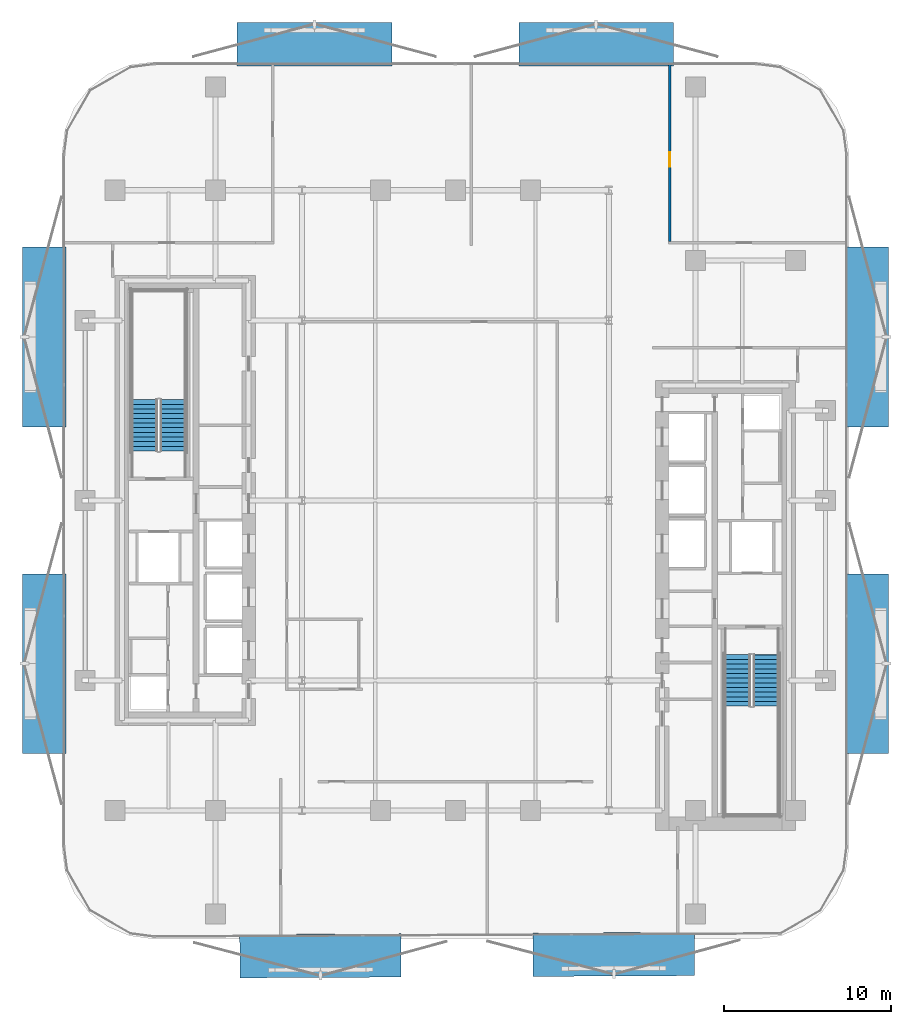
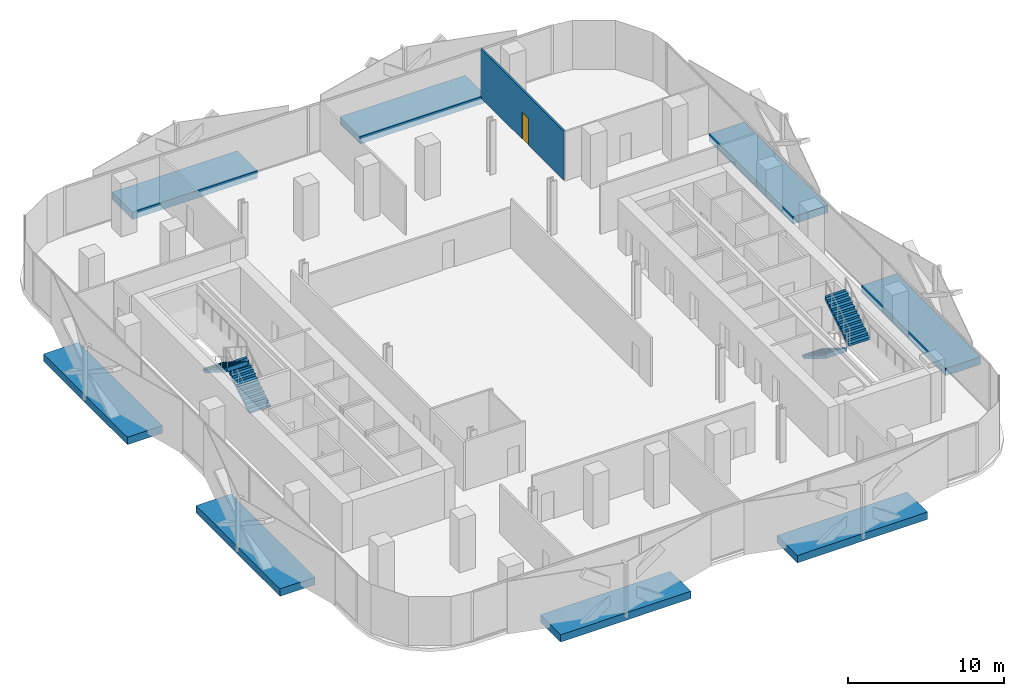
# One storey, part 6 of 15: 8 discrete accessories, 4 stair flights, 1 door, 1 wall, 1 opening, 2 elements without a shape of their own.
"""IFC4 building model written with IfcOpenShell, lengths in metres."""

from ifc_helpers import new_model, si_unit, direction, frame, frame_2d, origin, origin_2d, place, context, subcontext, project, spatial, polyline, rectangle, outline, extrude, material, layer, layer_set, type_object, element, fill, aggregate, save


model = new_model("IFC4")

# Units and contexts
model_context = context("Model", 3, precision=1e-05, world=origin(), true_north=direction((0.0, 1.0)))
body_context = subcontext(model_context, "Body", "Model", "MODEL_VIEW")
ifc_project = project(units=[si_unit("LENGTHUNIT", "METRE"), si_unit("AREAUNIT", "SQUARE_METRE"), si_unit("VOLUMEUNIT", "CUBIC_METRE"), si_unit("PLANEANGLEUNIT", "RADIAN"), si_unit("MASSUNIT", "GRAM", prefix="KILO")], contexts=[model_context])

# Site, building, storey
site_placement = place(None, origin())
site = spatial("IfcSite", under=ifc_project, at=site_placement, CompositionType="ELEMENT")
building_placement = place(site_placement, origin())
building = spatial("IfcBuilding", under=site, at=building_placement, Name="Khairoan Windgate Tower", CompositionType="ELEMENT")
storey_placement = place(building_placement, frame((0.0, 0.0, 147.800048828125)))
storey = spatial("IfcBuildingStorey", under=building, at=storey_placement, Name="L34", CompositionType="ELEMENT", Elevation=147.800048828125)

# Wall, opening, door
ifc_material_1 = material(Name="Acoustic Fire-Rated Gypsum Partition", Category="gypsum")
ifc_layer_1 = layer(ifc_material_1, 0.139892578125, Name="Acoustic Fire-Rated Gypsum Partition")
ifc_layer_set_1 = layer_set([ifc_layer_1], Name="Acoustic Fire-Rated Gypsum Partition")
wall_type = type_object("IfcWallType", Name="Inter-Tenancy Compartment Wall", PredefinedType="PARTITIONING", material=ifc_layer_set_1)
wall_placement = place(storey_placement, frame((12.85205078125, 15.530029296875, 0.0), z_axis=(0.0, 0.0, 1.0), x_axis=(0.0, 1.0, 0.0)))
wall = element("IfcWall", 1, at=wall_placement, inside=storey, type_object=wall_type, Name="L34 Interior Partition 031", PredefinedType="PARTITIONING", context=body_context, shape_type="SweptSolid", body=[
    extrude(rectangle(XDim=10.625, YDim=0.139892578125, at=frame_2d((5.3125, 0.0))), origin(), (0.0, 0.0, 1.0), 3.849853515625),
])
opening_placement = place(wall_placement, frame((4.485107421875, 0.0, 0.0)))
opening = element("IfcOpeningElement", 2, at=opening_placement, cuts=wall, Name="Opening FD-SRV", PredefinedType="OPENING", context=body_context, shape_type="SweptSolid", body=[
    extrude(rectangle(XDim=0.85009765625, YDim=2.10009765625, at=frame_2d((0.425048828125, 1.050048828125))), frame((0.0, 0.079833984375, 0.0), z_axis=(0.0, -1.0, 0.0), x_axis=(1.0, 0.0, 0.0)), (0.0, 0.0, 1.0), 0.159912109375),
])
ifc_material_2 = material(Name="Steel S355", Category="steel")
door_type = type_object("IfcDoorType", Name="Core Service and Riser Fire Door FD-SRV 850x2100", OperationType="NOTDEFINED", PredefinedType="DOOR", material=ifc_material_2)
door_placement = place(opening_placement, origin())
door = element("IfcDoor", 3, at=door_placement, inside=storey, type_object=door_type, Name="L34 L34-44-L34-45 Door", OperationType="SINGLE_SWING_LEFT", OverallHeight=2.10009765625, OverallWidth=0.85009765625, PredefinedType="DOOR", context=body_context, shape_type="SweptSolid", body=[
    extrude(rectangle(XDim=0.85009765625, YDim=2.10009765625, at=frame_2d((0.425048828125, 1.050048828125))), frame((0.0, 0.02490234375, 0.0), z_axis=(0.0, -1.0, 0.0), x_axis=(1.0, 0.0, 0.0)), (0.0, 0.0, 1.0), 0.050048828125),
])
fill(opening, door)

# Stair, stair flights
ifc_material_3 = material(Name="Concrete C40/50", Category="concrete")
stair_type = type_object("IfcStairType", Name="Tower Core Dog-Leg Stair ST-T1 1560mm", PredefinedType="HALF_TURN_STAIR", material=ifc_material_3)
stair_1_placement = place(storey_placement, origin())
stair_1 = element("IfcStair", 4, at=stair_1_placement, inside=storey, type_object=stair_type, Name="L34 Stair ST1", PredefinedType="HALF_TURN_STAIR")
ifc_material_4 = material(Name="Concrete C40/50", Category="concrete")
ifc_layer_2 = layer(ifc_material_4, 0.14990234375, Name="Concrete C40/50")
ifc_layer_set_2 = layer_set([ifc_layer_2], Name="Concrete C40/50")
stair_flight_type = type_object("IfcStairFlightType", Name="Tower Core Stair Flight STF-1560", PredefinedType="STRAIGHT", material=ifc_layer_set_2)
stair_flight_1_placement = place(storey_placement, frame((16.929931640625, -9.260009765625, 0.0), z_axis=(0.0, 0.0, 1.0), x_axis=(0.0, -1.0, 0.0)))
stair_flight_1 = element("IfcStairFlight", 5, at=stair_flight_1_placement, type_object=stair_flight_type, Name="ST1 flight 1", NumberOfRisers=12, NumberOfTreads=11, PredefinedType="STRAIGHT", RiserHeight=0.175, TreadLength=0.28, context=body_context, shape_type="SweptSolid", body=[
    extrude(outline(polyline([(-0.00390625, 0.0), (-0.00390625, 0.175048828125), (0.0, 0.175048828125), (0.280029296875, 0.175048828125), (0.280029296875, 0.35009765625), (0.56005859375, 0.35009765625), (0.56005859375, 0.52490234375), (0.840087890625, 0.52490234375), (0.840087890625, 0.699951171875), (1.1201171875, 0.699951171875), (1.1201171875, 0.875), (1.39990234375, 0.875), (1.39990234375, 1.050048828125), (1.679931640625, 1.050048828125), (1.679931640625, 1.22509765625), (1.9599609375, 1.22509765625), (1.9599609375, 1.39990234375), (2.239990234375, 1.39990234375), (2.239990234375, 1.574951171875), (2.52001953125, 1.574951171875), (2.52001953125, 1.75), (2.800048828125, 1.75), (2.800048828125, 1.925048828125), (3.080078125, 1.925048828125), (3.080078125, 2.10009765625), (3.083984375, 2.10009765625), (3.083984375, 1.748291015625), (0.28271484375, 0.0), (-0.00390625, 0.0)])), frame((0.0, 0.780029296875, 0.0), z_axis=(0.0, -1.0, 0.0), x_axis=(1.0, 0.0, 0.0)), (0.0, 0.0, 1.0), 1.56005859375),
])
stair_flight_2_placement = place(storey_placement, frame((18.639892578125, -12.340087890625, 2.099853515625), z_axis=(0.0, 0.0, 1.0), x_axis=(0.0, 1.0, 0.0)))
stair_flight_2 = element("IfcStairFlight", 6, at=stair_flight_2_placement, type_object=stair_flight_type, Name="ST1 flight 2", NumberOfRisers=12, NumberOfTreads=11, PredefinedType="STRAIGHT", RiserHeight=0.175, TreadLength=0.28, context=body_context, shape_type="SweptSolid", body=[
    extrude(outline(polyline([(-0.00390625, 0.0), (-0.00390625, 0.175048828125), (0.0, 0.175048828125), (0.280029296875, 0.175048828125), (0.280029296875, 0.35009765625), (0.56005859375, 0.35009765625), (0.56005859375, 0.52490234375), (0.840087890625, 0.52490234375), (0.840087890625, 0.699951171875), (1.1201171875, 0.699951171875), (1.1201171875, 0.875), (1.39990234375, 0.875), (1.39990234375, 1.050048828125), (1.679931640625, 1.050048828125), (1.679931640625, 1.22509765625), (1.9599609375, 1.22509765625), (1.9599609375, 1.39990234375), (2.239990234375, 1.39990234375), (2.239990234375, 1.574951171875), (2.52001953125, 1.574951171875), (2.52001953125, 1.75), (2.800048828125, 1.75), (2.800048828125, 1.925048828125), (3.080078125, 1.925048828125), (3.080078125, 2.10009765625), (3.083984375, 2.10009765625), (3.083984375, 1.748291015625), (0.28271484375, 0.0), (-0.00390625, 0.0)])), frame((0.0, 0.780029296875, 0.0), z_axis=(0.0, -1.0, 0.0), x_axis=(1.0, 0.0, 0.0)), (0.0, 0.0, 1.0), 1.56005859375),
])
aggregate(stair_1, [stair_flight_1, stair_flight_2])

stair_2_placement = place(storey_placement, origin())
stair_2 = element("IfcStair", 7, at=stair_2_placement, inside=storey, type_object=stair_type, Name="L34 Stair ST2", PredefinedType="HALF_TURN_STAIR")
stair_flight_3_placement = place(storey_placement, frame((-16.929931640625, 2.9599609375, 0.0), z_axis=(0.0, 0.0, 1.0), x_axis=(0.0, 1.0, 0.0)))
stair_flight_3 = element("IfcStairFlight", 8, at=stair_flight_3_placement, type_object=stair_flight_type, Name="ST2 flight 1", NumberOfRisers=12, NumberOfTreads=11, PredefinedType="STRAIGHT", RiserHeight=0.175, TreadLength=0.28, context=body_context, shape_type="SweptSolid", body=[
    extrude(outline(polyline([(-0.00390625, 0.0), (-0.00390625, 0.175048828125), (0.0, 0.175048828125), (0.280029296875, 0.175048828125), (0.280029296875, 0.35009765625), (0.56005859375, 0.35009765625), (0.56005859375, 0.52490234375), (0.840087890625, 0.52490234375), (0.840087890625, 0.699951171875), (1.1201171875, 0.699951171875), (1.1201171875, 0.875), (1.39990234375, 0.875), (1.39990234375, 1.050048828125), (1.679931640625, 1.050048828125), (1.679931640625, 1.22509765625), (1.9599609375, 1.22509765625), (1.9599609375, 1.39990234375), (2.239990234375, 1.39990234375), (2.239990234375, 1.574951171875), (2.52001953125, 1.574951171875), (2.52001953125, 1.75), (2.800048828125, 1.75), (2.800048828125, 1.925048828125), (3.080078125, 1.925048828125), (3.080078125, 2.10009765625), (3.083984375, 2.10009765625), (3.083984375, 1.748291015625), (0.28271484375, 0.0), (-0.00390625, 0.0)])), frame((0.0, 0.780029296875, 0.0), z_axis=(0.0, -1.0, 0.0), x_axis=(1.0, 0.0, 0.0)), (0.0, 0.0, 1.0), 1.56005859375),
])
stair_flight_4_placement = place(storey_placement, frame((-18.639892578125, 6.0400390625, 2.099853515625), z_axis=(0.0, 0.0, 1.0), x_axis=(0.0, -1.0, 0.0)))
stair_flight_4 = element("IfcStairFlight", 9, at=stair_flight_4_placement, type_object=stair_flight_type, Name="ST2 flight 2", NumberOfRisers=12, NumberOfTreads=11, PredefinedType="STRAIGHT", RiserHeight=0.175, TreadLength=0.28, context=body_context, shape_type="SweptSolid", body=[
    extrude(outline(polyline([(-0.00390625, 0.0), (-0.00390625, 0.175048828125), (0.0, 0.175048828125), (0.280029296875, 0.175048828125), (0.280029296875, 0.35009765625), (0.56005859375, 0.35009765625), (0.56005859375, 0.52490234375), (0.840087890625, 0.52490234375), (0.840087890625, 0.699951171875), (1.1201171875, 0.699951171875), (1.1201171875, 0.875), (1.39990234375, 0.875), (1.39990234375, 1.050048828125), (1.679931640625, 1.050048828125), (1.679931640625, 1.22509765625), (1.9599609375, 1.22509765625), (1.9599609375, 1.39990234375), (2.239990234375, 1.39990234375), (2.239990234375, 1.574951171875), (2.52001953125, 1.574951171875), (2.52001953125, 1.75), (2.800048828125, 1.75), (2.800048828125, 1.925048828125), (3.080078125, 1.925048828125), (3.080078125, 2.10009765625), (3.083984375, 2.10009765625), (3.083984375, 1.748291015625), (0.28271484375, 0.0), (-0.00390625, 0.0)])), frame((0.0, 0.780029296875, 0.0), z_axis=(0.0, -1.0, 0.0), x_axis=(1.0, 0.0, 0.0)), (0.0, 0.0, 1.0), 1.56005859375),
])
aggregate(stair_2, [stair_flight_3, stair_flight_4])

# Discrete accessories
ifc_material_5 = material(Name="Steel S355", Category="steel")
discrete_accessory_type = type_object("IfcDiscreteAccessoryType", Name="Solar Screen Outrigger Slab Bracket SSB-1", PredefinedType="BRACKET", material=ifc_material_5)
for number, where, z_axis, x_axis, name in (
    (10, (9.498291015625, -27.22509765625, -0.420166015625), (0.0, 0.0, 1.0), (-0.999988059021, -0.004886902454, 0.0), "L34 Solar Screen Outrigger Bracket 217"),
    (11, (-8.090576171875, -27.31103515625, -0.420166015625), (0.0, 0.0, 1.0), (-0.999988059021, -0.004886902454, 0.0), "L34 Solar Screen Outrigger Bracket 218"),
):
    element("IfcDiscreteAccessory", number, at=place(storey_placement, frame(where, z_axis=z_axis, x_axis=x_axis)), inside=storey, type_object=discrete_accessory_type, Name=name, PredefinedType="BRACKET", context=body_context, shape_type="SweptSolid", body=[
        extrude(rectangle(XDim=9.674072265625, YDim=2.60009765625, at=origin_2d()), origin(), (0.0, 0.0, 1.0), 0.580078125),
    ])
for number, where, z_axis, x_axis, name in (
    (12, (-24.659912109375, -9.79541015625, -0.420166015625), (0.0, 0.0, 1.0), (0.0, 1.0, 0.0), "L34 Solar Screen Outrigger Bracket 219"),
    (13, (-24.659912109375, 9.79541015625, -0.420166015625), (0.0, 0.0, 1.0), (0.0, 1.0, 0.0), "L34 Solar Screen Outrigger Bracket 220"),
):
    element("IfcDiscreteAccessory", number, at=place(storey_placement, frame(where, z_axis=z_axis, x_axis=x_axis)), inside=storey, type_object=discrete_accessory_type, Name=name, PredefinedType="BRACKET", context=body_context, shape_type="SweptSolid", body=[
        extrude(rectangle(XDim=10.77490234375, YDim=2.60009765625, at=origin_2d()), origin(), (0.0, 0.0, 1.0), 0.580078125),
    ])
for number, where, z_axis, x_axis, name in (
    (14, (-8.4453125, 27.360107421875, -0.420166015625), (0.0, 0.0, 1.0), (1.0, 0.0, 0.0), "L34 Solar Screen Outrigger Bracket 221"),
    (15, (8.4453125, 27.360107421875, -0.420166015625), (0.0, 0.0, 1.0), (1.0, 0.0, 0.0), "L34 Solar Screen Outrigger Bracket 222"),
):
    element("IfcDiscreteAccessory", number, at=place(storey_placement, frame(where, z_axis=z_axis, x_axis=x_axis)), inside=storey, type_object=discrete_accessory_type, Name=name, PredefinedType="BRACKET", context=body_context, shape_type="SweptSolid", body=[
        extrude(rectangle(XDim=9.2900390625, YDim=2.60009765625, at=origin_2d()), origin(), (0.0, 0.0, 1.0), 0.580078125),
    ])
for number, where, z_axis, x_axis, name in (
    (16, (24.659912109375, 9.79541015625, -0.420166015625), (0.0, 0.0, 1.0), (0.0, -1.0, 0.0), "L34 Solar Screen Outrigger Bracket 223"),
    (17, (24.659912109375, -9.79541015625, -0.420166015625), (0.0, 0.0, 1.0), (0.0, -1.0, 0.0), "L34 Solar Screen Outrigger Bracket 224"),
):
    element("IfcDiscreteAccessory", number, at=place(storey_placement, frame(where, z_axis=z_axis, x_axis=x_axis)), inside=storey, type_object=discrete_accessory_type, Name=name, PredefinedType="BRACKET", context=body_context, shape_type="SweptSolid", body=[
        extrude(rectangle(XDim=10.77490234375, YDim=2.60009765625, at=origin_2d()), origin(), (0.0, 0.0, 1.0), 0.580078125),
    ])

save(model, "model.ifc")
